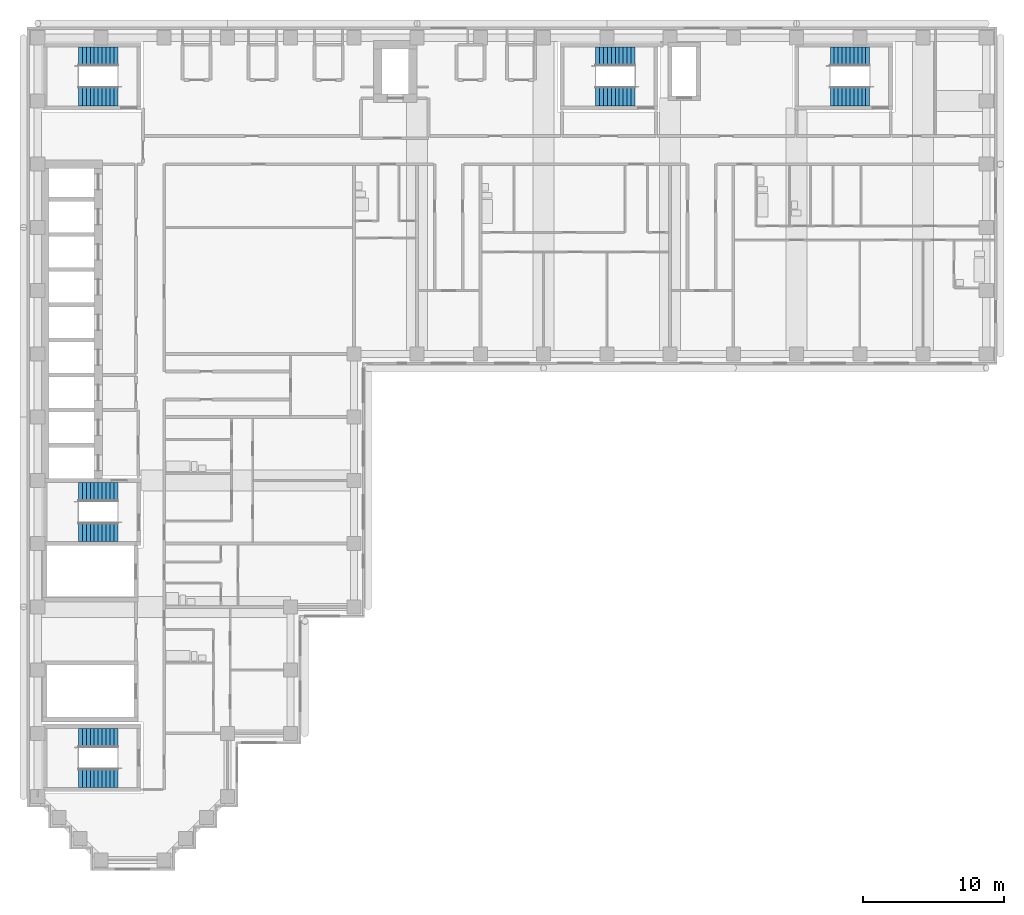
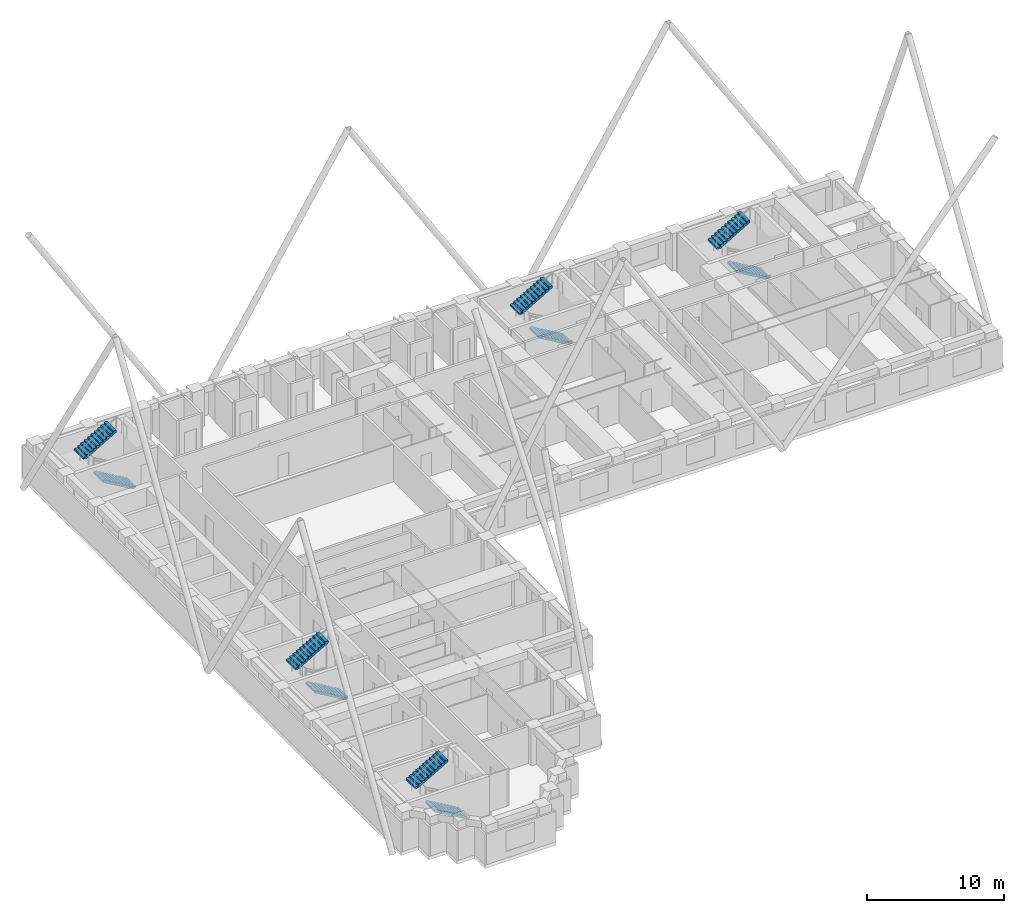
# One storey, part 11 of 13: 10 stair flights, 5 elements without a shape of their own.
"""IFC4 building model written with IfcOpenShell, lengths in metres."""

from ifc_helpers import new_model, si_unit, direction, frame, origin, place, context, subcontext, project, spatial, polyline, outline, extrude, material, type_object, element, aggregate, save


model = new_model("IFC4")

# Units and contexts
model_context = context("Model", 3, precision=1e-05, world=origin(), true_north=direction((0.0, 1.0)))
body_context = subcontext(model_context, "Body", "Model", "MODEL_VIEW")
ifc_project = project(units=[si_unit("LENGTHUNIT", "METRE"), si_unit("AREAUNIT", "SQUARE_METRE"), si_unit("VOLUMEUNIT", "CUBIC_METRE"), si_unit("PLANEANGLEUNIT", "RADIAN"), si_unit("MASSUNIT", "GRAM", prefix="KILO")], contexts=[model_context])

# Site, building, storey
site_placement = place(None, origin())
site = spatial("IfcSite", under=ifc_project, at=site_placement, CompositionType="ELEMENT")
building_placement = place(site_placement, origin())
building = spatial("IfcBuilding", under=site, at=building_placement, Name="Firuza Court", CompositionType="ELEMENT")
storey_placement = place(building_placement, frame((0.0, 0.0, 141.199951171875)))
storey = spatial("IfcBuildingStorey", under=building, at=storey_placement, Name="L35", CompositionType="ELEMENT", Elevation=141.199951171875)

# Stair, stair flights
ifc_material_1 = material(Name="Concrete C40/50 precast", Category="concrete")
stair_type = type_object("IfcStairType", Name="Stair 1350 x 3600 2 flights", PredefinedType="HALF_TURN_STAIR", material=ifc_material_1)
stair_1_placement = place(storey_placement, origin())
stair_1 = element("IfcStair", 1, at=stair_1_placement, inside=storey, type_object=stair_type, Name="Stair 1 L35", PredefinedType="HALF_TURN_STAIR")
ifc_material_2 = material(Name="Concrete C40/50 precast", Category="concrete")
stair_flight_type = type_object("IfcStairFlightType", Name="Flight 1350 riser 163.6", PredefinedType="STRAIGHT", material=ifc_material_2)
stair_flight_1_placement = place(storey_placement, frame((42.5, 54.324951171875, 0.0), z_axis=(0.0, 0.0, 1.0), x_axis=(-1.0, 0.0, 0.0)))
stair_flight_1 = element("IfcStairFlight", 2, at=stair_flight_1_placement, type_object=stair_flight_type, Name="S1 flight 1", NumberOfRisers=11, NumberOfTreads=10, PredefinedType="STRAIGHT", RiserHeight=0.163636364, TreadLength=0.28, context=body_context, shape_type="SweptSolid", body=[
    extrude(outline(polyline([(0.0, 0.0), (0.0, 0.16357421875), (0.280029296875, 0.16357421875), (0.280029296875, 0.327392578125), (0.56005859375, 0.327392578125), (0.56005859375, 0.490966796875), (0.840087890625, 0.490966796875), (0.840087890625, 0.654541015625), (1.1201171875, 0.654541015625), (1.1201171875, 0.818115234375), (1.39990234375, 0.818115234375), (1.39990234375, 0.98193359375), (1.679931640625, 0.98193359375), (1.679931640625, 1.1455078125), (1.9599609375, 1.1455078125), (1.9599609375, 1.30908203125), (2.239990234375, 1.30908203125), (2.239990234375, 1.47265625), (2.52001953125, 1.47265625), (2.52001953125, 1.636474609375), (2.800048828125, 1.636474609375), (2.800048828125, 1.800048828125), (2.800048828125, 1.462646484375), (0.297119140625, 0.0), (0.0, 0.0)])), frame((0.0, 0.675048828125, 0.0), z_axis=(0.0, -1.0, 0.0), x_axis=(1.0, 0.0, 0.0)), (0.0, 0.0, 1.0), 1.35009765625),
])
stair_flight_2_placement = place(storey_placement, frame((39.699951171875, 57.175048828125, 1.800048828125), z_axis=(0.0, 0.0, 1.0), x_axis=(1.0, 0.0, 0.0)))
stair_flight_2 = element("IfcStairFlight", 3, at=stair_flight_2_placement, type_object=stair_flight_type, Name="S1 flight 2", NumberOfRisers=11, NumberOfTreads=10, PredefinedType="STRAIGHT", RiserHeight=0.163636364, TreadLength=0.28, context=body_context, shape_type="SweptSolid", body=[
    extrude(outline(polyline([(0.0, 0.0), (0.0, 0.16357421875), (0.280029296875, 0.16357421875), (0.280029296875, 0.327392578125), (0.56005859375, 0.327392578125), (0.56005859375, 0.490966796875), (0.840087890625, 0.490966796875), (0.840087890625, 0.654541015625), (1.1201171875, 0.654541015625), (1.1201171875, 0.818115234375), (1.39990234375, 0.818115234375), (1.39990234375, 0.98193359375), (1.679931640625, 0.98193359375), (1.679931640625, 1.1455078125), (1.9599609375, 1.1455078125), (1.9599609375, 1.30908203125), (2.239990234375, 1.30908203125), (2.239990234375, 1.47265625), (2.52001953125, 1.47265625), (2.52001953125, 1.636474609375), (2.800048828125, 1.636474609375), (2.800048828125, 1.800048828125), (2.800048828125, 1.462646484375), (0.297119140625, 0.0), (0.0, 0.0)])), frame((0.0, 0.675048828125, 0.0), z_axis=(0.0, -1.0, 0.0), x_axis=(1.0, 0.0, 0.0)), (0.0, 0.0, 1.0), 1.35009765625),
])
aggregate(stair_1, [stair_flight_1, stair_flight_2])

stair_2_placement = place(storey_placement, origin())
stair_2 = element("IfcStair", 4, at=stair_2_placement, inside=storey, type_object=stair_type, Name="Stair 2 L35", PredefinedType="HALF_TURN_STAIR")
stair_flight_3_placement = place(storey_placement, frame((5.699951171875, 23.324951171875, 0.0), z_axis=(0.0, 0.0, 1.0), x_axis=(-1.0, 0.0, 0.0)))
stair_flight_3 = element("IfcStairFlight", 5, at=stair_flight_3_placement, type_object=stair_flight_type, Name="S2 flight 1", NumberOfRisers=11, NumberOfTreads=10, PredefinedType="STRAIGHT", RiserHeight=0.163636364, TreadLength=0.28, context=body_context, shape_type="SweptSolid", body=[
    extrude(outline(polyline([(0.0, 0.0), (0.0, 0.16357421875), (0.280029296875, 0.16357421875), (0.280029296875, 0.327392578125), (0.56005859375, 0.327392578125), (0.56005859375, 0.490966796875), (0.840087890625, 0.490966796875), (0.840087890625, 0.654541015625), (1.1201171875, 0.654541015625), (1.1201171875, 0.818115234375), (1.39990234375, 0.818115234375), (1.39990234375, 0.98193359375), (1.679931640625, 0.98193359375), (1.679931640625, 1.1455078125), (1.9599609375, 1.1455078125), (1.9599609375, 1.30908203125), (2.239990234375, 1.30908203125), (2.239990234375, 1.47265625), (2.52001953125, 1.47265625), (2.52001953125, 1.636474609375), (2.800048828125, 1.636474609375), (2.800048828125, 1.800048828125), (2.800048828125, 1.462646484375), (0.297119140625, 0.0), (0.0, 0.0)])), frame((0.0, 0.675048828125, 0.0), z_axis=(0.0, -1.0, 0.0), x_axis=(1.0, 0.0, 0.0)), (0.0, 0.0, 1.0), 1.35009765625),
])
stair_flight_4_placement = place(storey_placement, frame((2.89990234375, 26.175048828125, 1.800048828125), z_axis=(0.0, 0.0, 1.0), x_axis=(1.0, 0.0, 0.0)))
stair_flight_4 = element("IfcStairFlight", 6, at=stair_flight_4_placement, type_object=stair_flight_type, Name="S2 flight 2", NumberOfRisers=11, NumberOfTreads=10, PredefinedType="STRAIGHT", RiserHeight=0.163636364, TreadLength=0.28, context=body_context, shape_type="SweptSolid", body=[
    extrude(outline(polyline([(0.0, 0.0), (0.0, 0.16357421875), (0.280029296875, 0.16357421875), (0.280029296875, 0.327392578125), (0.56005859375, 0.327392578125), (0.56005859375, 0.490966796875), (0.840087890625, 0.490966796875), (0.840087890625, 0.654541015625), (1.1201171875, 0.654541015625), (1.1201171875, 0.818115234375), (1.39990234375, 0.818115234375), (1.39990234375, 0.98193359375), (1.679931640625, 0.98193359375), (1.679931640625, 1.1455078125), (1.9599609375, 1.1455078125), (1.9599609375, 1.30908203125), (2.239990234375, 1.30908203125), (2.239990234375, 1.47265625), (2.52001953125, 1.47265625), (2.52001953125, 1.636474609375), (2.800048828125, 1.636474609375), (2.800048828125, 1.800048828125), (2.800048828125, 1.462646484375), (0.297119140625, 0.0), (0.0, 0.0)])), frame((0.0, 0.675048828125, 0.0), z_axis=(0.0, -1.0, 0.0), x_axis=(1.0, 0.0, 0.0)), (0.0, 0.0, 1.0), 1.35009765625),
])
aggregate(stair_2, [stair_flight_3, stair_flight_4])

stair_3_placement = place(storey_placement, origin())
stair_3 = element("IfcStair", 7, at=stair_3_placement, inside=storey, type_object=stair_type, Name="Stair 3 L35", PredefinedType="HALF_TURN_STAIR")
stair_flight_5_placement = place(storey_placement, frame((5.699951171875, 54.324951171875, 0.0), z_axis=(0.0, 0.0, 1.0), x_axis=(-1.0, 0.0, 0.0)))
stair_flight_5 = element("IfcStairFlight", 8, at=stair_flight_5_placement, type_object=stair_flight_type, Name="S3 flight 1", NumberOfRisers=11, NumberOfTreads=10, PredefinedType="STRAIGHT", RiserHeight=0.163636364, TreadLength=0.28, context=body_context, shape_type="SweptSolid", body=[
    extrude(outline(polyline([(0.0, 0.0), (0.0, 0.16357421875), (0.280029296875, 0.16357421875), (0.280029296875, 0.327392578125), (0.56005859375, 0.327392578125), (0.56005859375, 0.490966796875), (0.840087890625, 0.490966796875), (0.840087890625, 0.654541015625), (1.1201171875, 0.654541015625), (1.1201171875, 0.818115234375), (1.39990234375, 0.818115234375), (1.39990234375, 0.98193359375), (1.679931640625, 0.98193359375), (1.679931640625, 1.1455078125), (1.9599609375, 1.1455078125), (1.9599609375, 1.30908203125), (2.239990234375, 1.30908203125), (2.239990234375, 1.47265625), (2.52001953125, 1.47265625), (2.52001953125, 1.636474609375), (2.800048828125, 1.636474609375), (2.800048828125, 1.800048828125), (2.800048828125, 1.462646484375), (0.297119140625, 0.0), (0.0, 0.0)])), frame((0.0, 0.675048828125, 0.0), z_axis=(0.0, -1.0, 0.0), x_axis=(1.0, 0.0, 0.0)), (0.0, 0.0, 1.0), 1.35009765625),
])
stair_flight_6_placement = place(storey_placement, frame((2.89990234375, 57.175048828125, 1.800048828125), z_axis=(0.0, 0.0, 1.0), x_axis=(1.0, 0.0, 0.0)))
stair_flight_6 = element("IfcStairFlight", 9, at=stair_flight_6_placement, type_object=stair_flight_type, Name="S3 flight 2", NumberOfRisers=11, NumberOfTreads=10, PredefinedType="STRAIGHT", RiserHeight=0.163636364, TreadLength=0.28, context=body_context, shape_type="SweptSolid", body=[
    extrude(outline(polyline([(0.0, 0.0), (0.0, 0.16357421875), (0.280029296875, 0.16357421875), (0.280029296875, 0.327392578125), (0.56005859375, 0.327392578125), (0.56005859375, 0.490966796875), (0.840087890625, 0.490966796875), (0.840087890625, 0.654541015625), (1.1201171875, 0.654541015625), (1.1201171875, 0.818115234375), (1.39990234375, 0.818115234375), (1.39990234375, 0.98193359375), (1.679931640625, 0.98193359375), (1.679931640625, 1.1455078125), (1.9599609375, 1.1455078125), (1.9599609375, 1.30908203125), (2.239990234375, 1.30908203125), (2.239990234375, 1.47265625), (2.52001953125, 1.47265625), (2.52001953125, 1.636474609375), (2.800048828125, 1.636474609375), (2.800048828125, 1.800048828125), (2.800048828125, 1.462646484375), (0.297119140625, 0.0), (0.0, 0.0)])), frame((0.0, 0.675048828125, 0.0), z_axis=(0.0, -1.0, 0.0), x_axis=(1.0, 0.0, 0.0)), (0.0, 0.0, 1.0), 1.35009765625),
])
aggregate(stair_3, [stair_flight_5, stair_flight_6])

stair_4_placement = place(storey_placement, origin())
stair_4 = element("IfcStair", 10, at=stair_4_placement, inside=storey, type_object=stair_type, Name="Stair 4 L35", PredefinedType="HALF_TURN_STAIR")
stair_flight_7_placement = place(storey_placement, frame((59.199951171875, 54.324951171875, 0.0), z_axis=(0.0, 0.0, 1.0), x_axis=(-1.0, 0.0, 0.0)))
stair_flight_7 = element("IfcStairFlight", 11, at=stair_flight_7_placement, type_object=stair_flight_type, Name="S4 flight 1", NumberOfRisers=11, NumberOfTreads=10, PredefinedType="STRAIGHT", RiserHeight=0.163636364, TreadLength=0.28, context=body_context, shape_type="SweptSolid", body=[
    extrude(outline(polyline([(0.0, 0.0), (0.0, 0.16357421875), (0.280029296875, 0.16357421875), (0.280029296875, 0.327392578125), (0.56005859375, 0.327392578125), (0.56005859375, 0.490966796875), (0.840087890625, 0.490966796875), (0.840087890625, 0.654541015625), (1.1201171875, 0.654541015625), (1.1201171875, 0.818115234375), (1.39990234375, 0.818115234375), (1.39990234375, 0.98193359375), (1.679931640625, 0.98193359375), (1.679931640625, 1.1455078125), (1.9599609375, 1.1455078125), (1.9599609375, 1.30908203125), (2.239990234375, 1.30908203125), (2.239990234375, 1.47265625), (2.52001953125, 1.47265625), (2.52001953125, 1.636474609375), (2.800048828125, 1.636474609375), (2.800048828125, 1.800048828125), (2.800048828125, 1.462646484375), (0.297119140625, 0.0), (0.0, 0.0)])), frame((0.0, 0.675048828125, 0.0), z_axis=(0.0, -1.0, 0.0), x_axis=(1.0, 0.0, 0.0)), (0.0, 0.0, 1.0), 1.35009765625),
])
stair_flight_8_placement = place(storey_placement, frame((56.39990234375, 57.175048828125, 1.800048828125), z_axis=(0.0, 0.0, 1.0), x_axis=(1.0, 0.0, 0.0)))
stair_flight_8 = element("IfcStairFlight", 12, at=stair_flight_8_placement, type_object=stair_flight_type, Name="S4 flight 2", NumberOfRisers=11, NumberOfTreads=10, PredefinedType="STRAIGHT", RiserHeight=0.163636364, TreadLength=0.28, context=body_context, shape_type="SweptSolid", body=[
    extrude(outline(polyline([(0.0, 0.0), (0.0, 0.16357421875), (0.280029296875, 0.16357421875), (0.280029296875, 0.327392578125), (0.56005859375, 0.327392578125), (0.56005859375, 0.490966796875), (0.840087890625, 0.490966796875), (0.840087890625, 0.654541015625), (1.1201171875, 0.654541015625), (1.1201171875, 0.818115234375), (1.39990234375, 0.818115234375), (1.39990234375, 0.98193359375), (1.679931640625, 0.98193359375), (1.679931640625, 1.1455078125), (1.9599609375, 1.1455078125), (1.9599609375, 1.30908203125), (2.239990234375, 1.30908203125), (2.239990234375, 1.47265625), (2.52001953125, 1.47265625), (2.52001953125, 1.636474609375), (2.800048828125, 1.636474609375), (2.800048828125, 1.800048828125), (2.800048828125, 1.462646484375), (0.297119140625, 0.0), (0.0, 0.0)])), frame((0.0, 0.675048828125, 0.0), z_axis=(0.0, -1.0, 0.0), x_axis=(1.0, 0.0, 0.0)), (0.0, 0.0, 1.0), 1.35009765625),
])
aggregate(stair_4, [stair_flight_7, stair_flight_8])

stair_5_placement = place(storey_placement, origin())
stair_5 = element("IfcStair", 13, at=stair_5_placement, inside=storey, type_object=stair_type, Name="Stair 5 L35", PredefinedType="HALF_TURN_STAIR")
stair_flight_9_placement = place(storey_placement, frame((5.699951171875, 5.824951171875, 0.0), z_axis=(0.0, 0.0, 1.0), x_axis=(-1.0, 0.0, 0.0)))
stair_flight_9 = element("IfcStairFlight", 14, at=stair_flight_9_placement, type_object=stair_flight_type, Name="S5 flight 1", NumberOfRisers=11, NumberOfTreads=10, PredefinedType="STRAIGHT", RiserHeight=0.163636364, TreadLength=0.28, context=body_context, shape_type="SweptSolid", body=[
    extrude(outline(polyline([(0.0, 0.0), (0.0, 0.16357421875), (0.280029296875, 0.16357421875), (0.280029296875, 0.327392578125), (0.56005859375, 0.327392578125), (0.56005859375, 0.490966796875), (0.840087890625, 0.490966796875), (0.840087890625, 0.654541015625), (1.1201171875, 0.654541015625), (1.1201171875, 0.818115234375), (1.39990234375, 0.818115234375), (1.39990234375, 0.98193359375), (1.679931640625, 0.98193359375), (1.679931640625, 1.1455078125), (1.9599609375, 1.1455078125), (1.9599609375, 1.30908203125), (2.239990234375, 1.30908203125), (2.239990234375, 1.47265625), (2.52001953125, 1.47265625), (2.52001953125, 1.636474609375), (2.800048828125, 1.636474609375), (2.800048828125, 1.800048828125), (2.800048828125, 1.462646484375), (0.297119140625, 0.0), (0.0, 0.0)])), frame((0.0, 0.675048828125, 0.0), z_axis=(0.0, -1.0, 0.0), x_axis=(1.0, 0.0, 0.0)), (0.0, 0.0, 1.0), 1.35009765625),
])
stair_flight_10_placement = place(storey_placement, frame((2.89990234375, 8.675048828125, 1.800048828125), z_axis=(0.0, 0.0, 1.0), x_axis=(1.0, 0.0, 0.0)))
stair_flight_10 = element("IfcStairFlight", 15, at=stair_flight_10_placement, type_object=stair_flight_type, Name="S5 flight 2", NumberOfRisers=11, NumberOfTreads=10, PredefinedType="STRAIGHT", RiserHeight=0.163636364, TreadLength=0.28, context=body_context, shape_type="SweptSolid", body=[
    extrude(outline(polyline([(0.0, 0.0), (0.0, 0.16357421875), (0.280029296875, 0.16357421875), (0.280029296875, 0.327392578125), (0.56005859375, 0.327392578125), (0.56005859375, 0.490966796875), (0.840087890625, 0.490966796875), (0.840087890625, 0.654541015625), (1.1201171875, 0.654541015625), (1.1201171875, 0.818115234375), (1.39990234375, 0.818115234375), (1.39990234375, 0.98193359375), (1.679931640625, 0.98193359375), (1.679931640625, 1.1455078125), (1.9599609375, 1.1455078125), (1.9599609375, 1.30908203125), (2.239990234375, 1.30908203125), (2.239990234375, 1.47265625), (2.52001953125, 1.47265625), (2.52001953125, 1.636474609375), (2.800048828125, 1.636474609375), (2.800048828125, 1.800048828125), (2.800048828125, 1.462646484375), (0.297119140625, 0.0), (0.0, 0.0)])), frame((0.0, 0.675048828125, 0.0), z_axis=(0.0, -1.0, 0.0), x_axis=(1.0, 0.0, 0.0)), (0.0, 0.0, 1.0), 1.35009765625),
])
aggregate(stair_5, [stair_flight_9, stair_flight_10])

save(model, "model.ifc")
